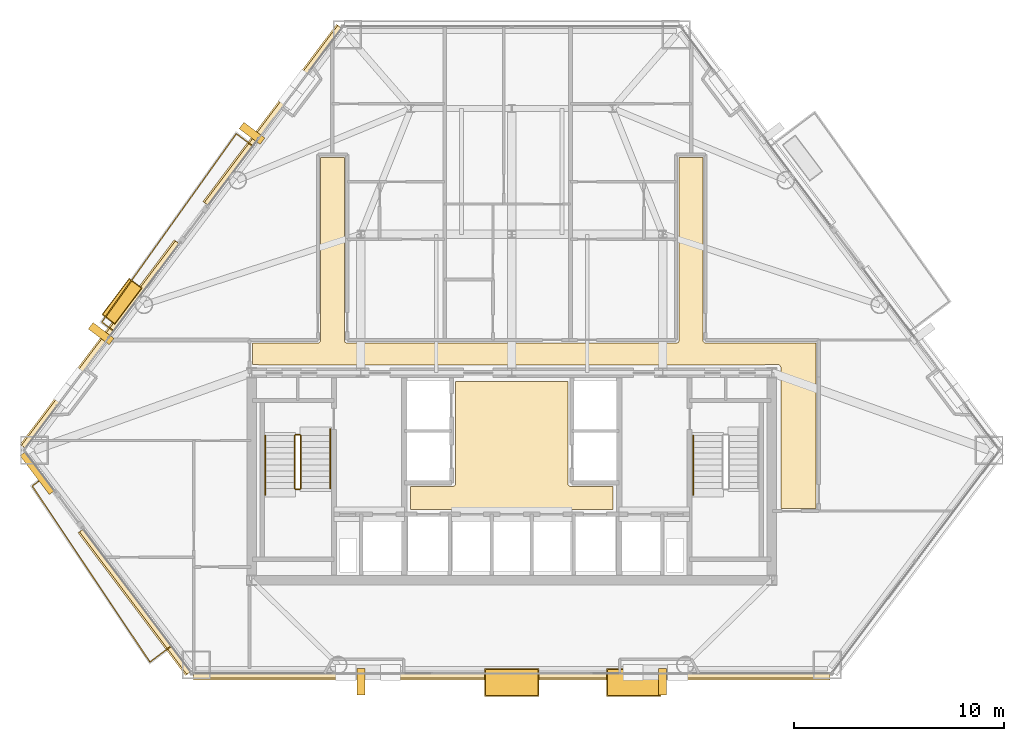
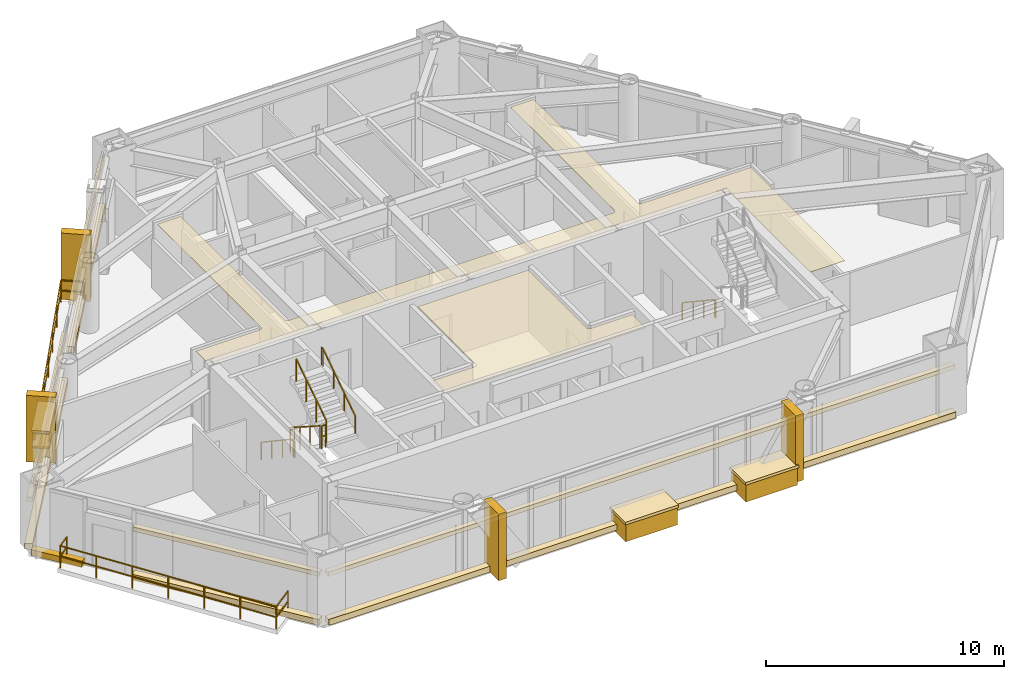
# One storey, part 10 of 11: 21 coverings, 9 railings.
"""IFC4 building model written with IfcOpenShell, lengths in metres."""

from ifc_helpers import new_model, si_unit, direction, frame, origin, origin_2d, place, context, subcontext, project, spatial, polyline, rectangle, outline, extrude, material, layer, layer_set, type_object, element, save


model = new_model("IFC4")

# Units and contexts
model_context = context("Model", 3, precision=1e-05, world=origin(), true_north=direction((0.0, 1.0)))
body_context = subcontext(model_context, "Body", "Model", "MODEL_VIEW")
ifc_project = project(units=[si_unit("LENGTHUNIT", "METRE"), si_unit("AREAUNIT", "SQUARE_METRE"), si_unit("VOLUMEUNIT", "CUBIC_METRE"), si_unit("PLANEANGLEUNIT", "RADIAN"), si_unit("MASSUNIT", "GRAM", prefix="KILO")], contexts=[model_context])

# Site, building, storey
site_placement = place(None, origin())
site = spatial("IfcSite", under=ifc_project, at=site_placement, CompositionType="ELEMENT")
building_placement = place(site_placement, origin())
building = spatial("IfcBuilding", under=site, at=building_placement, Name="Talgorran Terracotta Tower", CompositionType="ELEMENT")
storey_placement = place(building_placement, frame((0.0, 0.0, 45.89990234375)))
storey = spatial("IfcBuildingStorey", under=building, at=storey_placement, Name="L11", CompositionType="ELEMENT", Elevation=45.89990234375)

# Coverings
ifc_material_1 = material(Name="Kiln-Fired Terracotta Ochre Ceramic", Category="masonry")
ifc_layer_1 = layer(ifc_material_1, 0.179931640625, Name="COV_BAGUETTE_TERRACOTTA_SCREEN")
ifc_layer_set_1 = layer_set([ifc_layer_1], Name="Kiln-Fired Terracotta Ochre Ceramic")
covering_type_1 = type_object("IfcCoveringType", Name="COV_BAGUETTE_TERRACOTTA_SCREEN", PredefinedType="CLADDING", material=ifc_layer_set_1)
covering_1_placement = place(storey_placement, frame((-17.9482421875, -15.110595703125, 2.41015625), z_axis=(0.0, 0.0, 1.0), x_axis=(0.601633803014, -0.798772036986, 0.0)))
element("IfcCovering", 1, at=covering_1_placement, inside=storey, type_object=covering_type_1, Name="L11 Terracotta Baguette Solar Screen Assembly F11", PredefinedType="CLADDING", context=body_context, shape_type="SweptSolid", body=[
    extrude(rectangle(XDim=8.506103515625, YDim=0.260009765625, at=origin_2d()), origin(), (0.0, 0.0, 1.0), 0.219970703125),
])
covering_2_placement = place(storey_placement, frame((0.0, -18.635498046875, 2.41015625), z_axis=(0.0, 0.0, 1.0), x_axis=(1.0, 0.0, 0.0)))
element("IfcCovering", 2, at=covering_2_placement, inside=storey, type_object=covering_type_1, Name="L11 Terracotta Baguette Solar Screen Assembly F1", PredefinedType="CLADDING", context=body_context, shape_type="SweptSolid", body=[
    extrude(rectangle(XDim=30.3466796875, YDim=0.260009765625, at=origin_2d()), origin(), (0.0, 0.0, 1.0), 0.219970703125),
])
covering_3_placement = place(storey_placement, frame((-11.37158203125, 8.057861328125, 2.41015625), z_axis=(0.0, 0.0, 1.0), x_axis=(-0.601633803014, -0.798772036986, 0.0)))
element("IfcCovering", 3, at=covering_3_placement, inside=storey, type_object=covering_type_1, Name="L11 Terracotta Baguette Solar Screen Assembly F60", PredefinedType="CLADDING", context=body_context, shape_type="SweptSolid", body=[
    extrude(rectangle(XDim=10.566650390625, YDim=0.260009765625, at=origin_2d()), origin(), (0.0, 0.0, 1.0), 0.219970703125),
])
covering_4_placement = place(storey_placement, frame((-19.603759765625, -2.8720703125, 2.41015625), z_axis=(0.0, 0.0, 1.0), x_axis=(-0.601633803014, -0.798772036986, 0.0)))
element("IfcCovering", 4, at=covering_4_placement, inside=storey, type_object=covering_type_1, Name="L11 Terracotta Baguette Solar Screen Assembly F61", PredefinedType="CLADDING", context=body_context, shape_type="SweptSolid", body=[
    extrude(rectangle(XDim=12.199462890625, YDim=0.260009765625, at=origin_2d()), origin(), (0.0, 0.0, 1.0), 0.219970703125),
])
ifc_material_2 = material(Name="Mineral Fibre Acoustic Tile")
ifc_layer_2 = layer(ifc_material_2, 0.02490234375, Name="COV_CEIL_ACOUSTIC")
ifc_layer_set_2 = layer_set([ifc_layer_2], Name="Mineral Fibre Acoustic Tile")
covering_type_2 = type_object("IfcCoveringType", Name="COV_CEIL_ACOUSTIC", PredefinedType="CEILING", material=ifc_layer_set_2)
covering_5_placement = place(storey_placement, frame((0.0, 0.0, 3.260009765625)))
element("IfcCovering", 5, at=covering_5_placement, inside=storey, type_object=covering_type_2, Name="CEIL-L11-2", PredefinedType="CEILING", context=body_context, shape_type="SweptSolid", body=[
    extrude(outline(polyline([(-12.034423828125, -3.844970703125), (-12.03515625, -3.843994140625), (-12.0439453125, -3.836181640625), (-12.05322265625, -3.8291015625), (-12.0634765625, -3.8232421875), (-12.07421875, -3.818115234375), (-12.085205078125, -3.814208984375), (-12.0966796875, -3.811279296875), (-12.108154296875, -3.8095703125), (-12.1201171875, -3.80908203125), (-12.364990234375, -3.80908203125), (-12.364990234375, -2.784912109375), (-9.25, -2.784912109375), (-9.23828125, -2.784423828125), (-9.226806640625, -2.78271484375), (-9.21533203125, -2.77978515625), (-9.20703125, -2.77734375), (-9.196044921875, -2.7734375), (-9.185302734375, -2.768310546875), (-9.17529296875, -2.762451171875), (-9.165771484375, -2.75537109375), (-9.156982421875, -2.74755859375), (-9.149169921875, -2.73876953125), (-9.1435546875, -2.73193359375), (-9.136474609375, -2.722412109375), (-9.13037109375, -2.71240234375), (-9.125244140625, -2.70166015625), (-9.121337890625, -2.690673828125), (-9.118408203125, -2.67919921875), (-9.11669921875, -2.66748046875), (-9.1162109375, -2.65576171875), (-9.114990234375, 6.06494140625), (-7.985107421875, 6.06494140625), (-7.985107421875, -2.64990234375), (-7.984375, -2.66162109375), (-7.982666015625, -2.67333984375), (-7.97998046875, -2.6845703125), (-7.977294921875, -2.69287109375), (-7.973388671875, -2.7041015625), (-7.968505859375, -2.714599609375), (-7.96240234375, -2.724853515625), (-7.955322265625, -2.734375), (-7.947509765625, -2.742919921875), (-7.938720703125, -2.7509765625), (-7.931884765625, -2.756591796875), (-7.922607421875, -2.763671875), (-7.912353515625, -2.769775390625), (-7.901611328125, -2.774658203125), (-7.890625, -2.77880859375), (-7.879150390625, -2.781494140625), (-7.867431640625, -2.783203125), (-7.855712890625, -2.783935546875), (7.85009765625, -2.784912109375), (7.86181640625, -2.784423828125), (7.873291015625, -2.78271484375), (7.884521484375, -2.77978515625), (7.892822265625, -2.77734375), (7.904052734375, -2.7734375), (7.914794921875, -2.768310546875), (7.9248046875, -2.762451171875), (7.934326171875, -2.75537109375), (7.943115234375, -2.74755859375), (7.950927734375, -2.73876953125), (7.95654296875, -2.73193359375), (7.963623046875, -2.722412109375), (7.9697265625, -2.71240234375), (7.974609375, -2.70166015625), (7.978759765625, -2.690673828125), (7.981689453125, -2.67919921875), (7.9833984375, -2.66748046875), (7.98388671875, -2.65576171875), (7.985107421875, 6.06494140625), (9.114990234375, 6.06494140625), (9.114990234375, -2.64990234375), (9.115478515625, -2.66162109375), (9.1171875, -2.67333984375), (9.1201171875, -2.6845703125), (9.12255859375, -2.69287109375), (9.12646484375, -2.7041015625), (9.131591796875, -2.714599609375), (9.1376953125, -2.724853515625), (9.14453125, -2.734375), (9.152587890625, -2.742919921875), (9.1611328125, -2.7509765625), (9.16796875, -2.756591796875), (9.177490234375, -2.763671875), (9.1875, -2.769775390625), (9.1982421875, -2.774658203125), (9.20947265625, -2.77880859375), (9.220703125, -2.781494140625), (9.232421875, -2.783203125), (9.244384765625, -2.783935546875), (14.514892578125, -2.784912109375), (14.514892578125, -10.6650390625), (12.8349609375, -10.6650390625), (12.834716796875, -3.97705078125), (12.833984375, -3.96533203125), (12.83251953125, -3.953857421875), (12.82958984375, -3.9423828125), (12.82568359375, -3.931396484375), (12.820556640625, -3.920654296875), (12.81640625, -3.9130859375), (12.810302734375, -3.90283203125), (12.803466796875, -3.893310546875), (12.79541015625, -3.884521484375), (12.78857421875, -3.87841796875), (12.785888671875, -3.872314453125), (12.77978515625, -3.8623046875), (12.772705078125, -3.852783203125), (12.764892578125, -3.843994140625), (12.756103515625, -3.836181640625), (12.74658203125, -3.8291015625), (12.736572265625, -3.8232421875), (12.725830078125, -3.818115234375), (12.71484375, -3.814208984375), (12.703369140625, -3.811279296875), (12.69189453125, -3.8095703125), (12.679931640625, -3.80908203125), (12.1201171875, -3.80908203125), (12.108154296875, -3.8095703125), (12.0966796875, -3.811279296875), (12.085205078125, -3.814208984375), (12.07421875, -3.818115234375), (12.0634765625, -3.8232421875), (12.05322265625, -3.8291015625), (12.0439453125, -3.836181640625), (12.03515625, -3.843994140625), (12.034423828125, -3.844970703125), (7.432861328125, -3.844970703125), (6.968017578125, -3.843017578125), (6.967529296875, -3.843017578125), (0.232666015625, -3.844970703125), (-0.23193359375, -3.843017578125), (-0.232421875, -3.843017578125), (-6.96728515625, -3.844970703125), (-7.431884765625, -3.843017578125), (-7.4326171875, -3.843017578125), (-12.034423828125, -3.844970703125)])), origin(), (0.0, 0.0, 1.0), 0.02001953125),
])
ifc_material_3 = material(Name="Flush Moisture-Resistant Plaster")
ifc_layer_3 = layer(ifc_material_3, 0.01806640625, Name="COV_CEIL_PLASTER")
ifc_layer_set_3 = layer_set([ifc_layer_3], Name="Flush Moisture-Resistant Plaster")
covering_type_3 = type_object("IfcCoveringType", Name="COV_CEIL_PLASTER", PredefinedType="CEILING", material=ifc_layer_set_3)
covering_6_placement = place(storey_placement, frame((0.0, 0.0, 3.260009765625)))
element("IfcCovering", 6, at=covering_6_placement, inside=storey, type_object=covering_type_3, Name="CEIL-L11-1", PredefinedType="CEILING", context=body_context, shape_type="SweptSolid", body=[
    extrude(outline(polyline([(-4.830078125, -9.6201171875), (-2.800048828125, -9.6201171875), (-2.7880859375, -9.619384765625), (-2.776611328125, -9.61767578125), (-2.76513671875, -9.61474609375), (-2.754150390625, -9.61083984375), (-2.743408203125, -9.605712890625), (-2.7333984375, -9.599853515625), (-2.723876953125, -9.5927734375), (-2.715087890625, -9.5849609375), (-2.707275390625, -9.576171875), (-2.7001953125, -9.566650390625), (-2.694091796875, -9.556640625), (-2.689208984375, -9.5458984375), (-2.685302734375, -9.534912109375), (-2.682373046875, -9.5234375), (-2.6806640625, -9.51171875), (-2.679931640625, -9.5), (-2.679931640625, -4.6201171875), (2.679931640625, -4.6201171875), (2.679931640625, -9.5), (2.6806640625, -9.51171875), (2.682373046875, -9.5234375), (2.685302734375, -9.534912109375), (2.689208984375, -9.5458984375), (2.694091796875, -9.556640625), (2.7001953125, -9.566650390625), (2.707275390625, -9.576171875), (2.715087890625, -9.5849609375), (2.723876953125, -9.5927734375), (2.7333984375, -9.599853515625), (2.743408203125, -9.605712890625), (2.754150390625, -9.61083984375), (2.76513671875, -9.61474609375), (2.776611328125, -9.61767578125), (2.7880859375, -9.619384765625), (2.800048828125, -9.6201171875), (4.830078125, -9.6201171875), (4.830078125, -10.72998046875), (-4.830078125, -10.72998046875), (-4.830078125, -9.6201171875)])), origin(), (0.0, 0.0, 1.0), 0.02001953125),
])
ifc_material_4 = material(Name="Honed Limestone and Terracotta Planter", Category="masonry")
ifc_layer_4 = layer(ifc_material_4, 0.1201171875, Name="COV_PLANTER_BOX")
ifc_layer_set_4 = layer_set([ifc_layer_4], Name="Honed Limestone and Terracotta Planter")
covering_type_4 = type_object("IfcCoveringType", Name="COV_PLANTER_BOX", PredefinedType="CLADDING", material=ifc_layer_set_4)
for number, where, z_axis, x_axis, name in (
    (7, (0.0, -18.9755859375, -0.179931640625), (0.0, 0.0, 1.0), (1.0, 0.0, 0.0), "L11 Staggered South Facade Planter Box 1"),
    (8, (5.815185546875, -18.9755859375, -0.179931640625), (0.0, 0.0, 1.0), (1.0, 0.0, 0.0), "L11 Staggered South Facade Planter Box 2"),
):
    element("IfcCovering", number, at=place(storey_placement, frame(where, z_axis=z_axis, x_axis=x_axis)), inside=storey, type_object=covering_type_4, Name=name, PredefinedType="CLADDING", context=body_context, shape_type="SweptSolid", body=[
        extrude(rectangle(XDim=2.5, YDim=1.25, at=origin_2d()), origin(), (0.0, 0.0, 1.0), 0.919921875),
    ])
covering_7_placement = place(storey_placement, frame((-18.584228515625, -0.79541015625, -0.02001953125), z_axis=(0.0, 0.0, 1.0), x_axis=(-0.601633803014, -0.798772036986, 0.0)))
element("IfcCovering", 9, at=covering_7_placement, inside=storey, type_object=covering_type_4, Name="L11 Staggered Balcony Planter Box BAL-NW", PredefinedType="CLADDING", context=body_context, shape_type="SweptSolid", body=[
    extrude(rectangle(XDim=2.10009765625, YDim=0.719970703125, at=origin_2d()), origin(), (0.0, 0.0, 1.0), 0.860107421875),
])
ifc_material_5 = material(Name="Kiln-Fired Terracotta Planter Rim", Category="masonry")
ifc_layer_5 = layer(ifc_material_5, 0.10009765625, Name="COV_PLANTER_RIM")
ifc_layer_set_5 = layer_set([ifc_layer_5], Name="Kiln-Fired Terracotta Planter Rim")
covering_type_5 = type_object("IfcCoveringType", Name="COV_PLANTER_RIM", PredefinedType="CLADDING", material=ifc_layer_set_5)
for number, where, z_axis, x_axis, name in (
    (10, (0.0, -18.9755859375, 0.7099609375), (0.0, 0.0, 1.0), (1.0, 0.0, 0.0), "L11 South Planter Terracotta Rim 1"),
    (11, (5.815185546875, -18.9755859375, 0.7099609375), (0.0, 0.0, 1.0), (1.0, 0.0, 0.0), "L11 South Planter Terracotta Rim 2"),
):
    element("IfcCovering", number, at=place(storey_placement, frame(where, z_axis=z_axis, x_axis=x_axis)), inside=storey, type_object=covering_type_5, Name=name, PredefinedType="CLADDING", context=body_context, shape_type="SweptSolid", body=[
        extrude(rectangle(XDim=2.580078125, YDim=1.320068359375, at=origin_2d()), origin(), (0.0, 0.0, 1.0), 0.139892578125),
    ])
covering_8_placement = place(storey_placement, frame((-18.584228515625, -0.79541015625, 0.800048828125), z_axis=(0.0, 0.0, 1.0), x_axis=(-0.601633803014, -0.798772036986, 0.0)))
element("IfcCovering", 12, at=covering_8_placement, inside=storey, type_object=covering_type_5, Name="L11 Balcony Planter Terracotta Rim BAL-NW", PredefinedType="CLADDING", context=body_context, shape_type="SweptSolid", body=[
    extrude(rectangle(XDim=2.179931640625, YDim=0.780029296875, at=origin_2d()), origin(), (0.0, 0.0, 1.0), 0.1201171875),
])
ifc_material_6 = material(Name="Honed Limestone Cladding", Category="masonry")
ifc_layer_6 = layer(ifc_material_6, 0.094970703125, Name="COV_PORTAL_LIME")
ifc_layer_set_6 = layer_set([ifc_layer_6], Name="Honed Limestone Cladding")
covering_type_6 = type_object("IfcCoveringType", Name="COV_PORTAL_LIME", PredefinedType="CLADDING", material=ifc_layer_set_6)
for number, where, z_axis, x_axis, name in (
    (13, (-7.1923828125, -18.935546875, -0.0498046875), (0.0, 0.0, 1.0), (1.0, 0.0, 0.0), "L11 White Striped Portal Fin F1-1"),
    (14, (-12.3857421875, 7.2099609375, -0.0498046875), (0.0, 0.0, 1.0), (-0.601633803014, -0.798772036986, 0.0), "L11 White Striped Portal Fin F5-1"),
):
    element("IfcCovering", number, at=place(storey_placement, frame(where, z_axis=z_axis, x_axis=x_axis)), inside=storey, type_object=covering_type_6, Name=name, PredefinedType="CLADDING", context=body_context, shape_type="SweptSolid", body=[
        extrude(rectangle(XDim=0.3798828125, YDim=1.25, at=origin_2d()), origin(), (0.0, 0.0, 1.0), 3.39990234375),
    ])
ifc_material_7 = material(Name="Kiln-Fired Terracotta Cladding", Category="masonry")
ifc_layer_7 = layer(ifc_material_7, 0.090087890625, Name="COV_PORTAL_TERRA")
ifc_layer_set_7 = layer_set([ifc_layer_7], Name="Kiln-Fired Terracotta Cladding")
covering_type_7 = type_object("IfcCoveringType", Name="COV_PORTAL_TERRA", PredefinedType="CLADDING", material=ifc_layer_set_7)
covering_9_placement = place(storey_placement, frame((-22.614013671875, -8.982421875, -0.0400390625), z_axis=(0.0, 0.0, 1.0), x_axis=(0.601647744124, -0.798761536374, 0.0)))
element("IfcCovering", 15, at=covering_9_placement, inside=storey, type_object=covering_type_7, Name="L11 Striped Postmodern Portal Cladding Band F10", PredefinedType="CLADDING", context=body_context, shape_type="SweptSolid", body=[
    extrude(rectangle(XDim=2.318115234375, YDim=0.340087890625, at=origin_2d()), origin(), (0.0, 0.0, 1.0), 0.300048828125),
])
covering_10_placement = place(storey_placement, frame((-17.980224609375, -15.134765625, -0.0400390625), z_axis=(0.0, 0.0, 1.0), x_axis=(0.601633803014, -0.798772036986, 0.0)))
element("IfcCovering", 16, at=covering_10_placement, inside=storey, type_object=covering_type_7, Name="L11 Striped Postmodern Portal Cladding Band F11", PredefinedType="CLADDING", context=body_context, shape_type="SweptSolid", body=[
    extrude(rectangle(XDim=8.526123046875, YDim=0.340087890625, at=origin_2d()), origin(), (0.0, 0.0, 1.0), 0.300048828125),
])
covering_11_placement = place(storey_placement, frame((0.0, -18.675537109375, -0.0400390625), z_axis=(0.0, 0.0, 1.0), x_axis=(1.0, 0.0, 0.0)))
element("IfcCovering", 17, at=covering_11_placement, inside=storey, type_object=covering_type_7, Name="L11 Striped Postmodern Portal Cladding Band F1", PredefinedType="CLADDING", context=body_context, shape_type="SweptSolid", body=[
    extrude(rectangle(XDim=30.36669921875, YDim=0.340087890625, at=origin_2d()), origin(), (0.0, 0.0, 1.0), 0.300048828125),
])
covering_12_placement = place(storey_placement, frame((-11.403564453125, 8.081787109375, -0.0400390625), z_axis=(0.0, 0.0, 1.0), x_axis=(-0.601633803014, -0.798772036986, 0.0)))
element("IfcCovering", 18, at=covering_12_placement, inside=storey, type_object=covering_type_7, Name="L11 Striped Postmodern Portal Cladding Band F60", PredefinedType="CLADDING", context=body_context, shape_type="SweptSolid", body=[
    extrude(rectangle(XDim=10.586669921875, YDim=0.340087890625, at=origin_2d()), origin(), (0.0, 0.0, 1.0), 0.300048828125),
])
covering_13_placement = place(storey_placement, frame((-19.635498046875, -2.847900390625, -0.0400390625), z_axis=(0.0, 0.0, 1.0), x_axis=(-0.601633803014, -0.798772036986, 0.0)))
element("IfcCovering", 19, at=covering_13_placement, inside=storey, type_object=covering_type_7, Name="L11 Striped Postmodern Portal Cladding Band F61", PredefinedType="CLADDING", context=body_context, shape_type="SweptSolid", body=[
    extrude(rectangle(XDim=12.219482421875, YDim=0.340087890625, at=origin_2d()), origin(), (0.0, 0.0, 1.0), 0.300048828125),
])
for number, where, z_axis, x_axis, name in (
    (20, (7.1923828125, -18.935546875, -0.0498046875), (0.0, 0.0, 1.0), (1.0, 0.0, 0.0), "L11 Terracotta Striped Portal Fin F1-2"),
    (21, (-19.578369140625, -2.339599609375, -0.0498046875), (0.0, 0.0, 1.0), (-0.601633803014, -0.798772036986, 0.0), "L11 Terracotta Striped Portal Fin F5-2"),
):
    element("IfcCovering", number, at=place(storey_placement, frame(where, z_axis=z_axis, x_axis=x_axis)), inside=storey, type_object=covering_type_7, Name=name, PredefinedType="CLADDING", context=body_context, shape_type="SweptSolid", body=[
        extrude(rectangle(XDim=0.3798828125, YDim=1.25, at=origin_2d()), origin(), (0.0, 0.0, 1.0), 3.39990234375),
    ])

# Railings
ifc_material_8 = material(Name="Laminated Glass and Stainless Steel 316", Category="steel")
railing_type_1 = type_object("IfcRailingType", Name="RL_BALCONY_1150", PredefinedType="BALUSTRADE", material=ifc_material_8)
railing_1_placement = place(storey_placement, frame((-12.35986328125, 6.612548828125, 0.0)))
element("IfcRailing", 22, at=railing_1_placement, inside=storey, type_object=railing_type_1, Name="RL-L11-BAL-BAL-NW", PredefinedType="BALUSTRADE", context=body_context, shape_type="SweptSolid", body=[
    extrude(rectangle(XDim=0.048095703125, YDim=0.048095703125, at=origin_2d()), frame((0.0, 0.0, 1.1259765625), z_axis=(-0.798726699354, 0.601693991775, 0.0), x_axis=(-0.601693991775, -0.798726699354, 0.0)), (0.0, 0.0, 1.0), 0.9677734375),
    extrude(rectangle(XDim=0.048095703125, YDim=0.048095703125, at=origin_2d()), frame((0.0, 0.0, 0.597900390625), z_axis=(-0.798726699354, 0.601693991775, 0.0), x_axis=(-0.601693991775, -0.798726699354, 0.0)), (0.0, 0.0, 1.0), 0.9677734375),
    extrude(rectangle(XDim=0.048095703125, YDim=0.048095703125, at=origin_2d()), frame((-0.77294921875, 0.582275390625, 1.1259765625), z_axis=(-0.580959834341, -0.81393222745, 0.0), x_axis=(0.81393222745, -0.580959834341, 0.0)), (0.0, 0.0, 1.0), 11.035888671875),
    extrude(rectangle(XDim=0.048095703125, YDim=0.048095703125, at=origin_2d()), frame((-0.77294921875, 0.582275390625, 0.597900390625), z_axis=(-0.580959834341, -0.81393222745, 0.0), x_axis=(0.81393222745, -0.580959834341, 0.0)), (0.0, 0.0, 1.0), 11.035888671875),
    extrude(rectangle(XDim=0.048095703125, YDim=0.048095703125, at=origin_2d()), frame((-7.184326171875, -8.400146484375, 1.1259765625), z_axis=(0.798757916784, -0.601652549546, 0.0), x_axis=(0.601652549546, 0.798757916784, 0.0)), (0.0, 0.0, 1.0), 0.68505859375),
    extrude(rectangle(XDim=0.048095703125, YDim=0.048095703125, at=origin_2d()), frame((-7.184326171875, -8.400146484375, 0.597900390625), z_axis=(0.798757916784, -0.601652549546, 0.0), x_axis=(0.601652549546, 0.798757916784, 0.0)), (0.0, 0.0, 1.0), 0.68505859375),
    extrude(rectangle(XDim=0.0419921875, YDim=0.0419921875, at=origin_2d()), origin(), (0.0, 0.0, 1.0), 1.101806640625),
    extrude(rectangle(XDim=0.0419921875, YDim=0.0419921875, at=origin_2d()), frame((-0.77294921875, 0.582275390625, 0.0)), (0.0, 0.0, 1.0), 1.101806640625),
    extrude(rectangle(XDim=0.0419921875, YDim=0.0419921875, at=origin_2d()), frame((-1.841552734375, -0.914794921875, 0.0)), (0.0, 0.0, 1.0), 1.101806640625),
    extrude(rectangle(XDim=0.0419921875, YDim=0.0419921875, at=origin_2d()), frame((-2.91015625, -2.411865234375, 0.0)), (0.0, 0.0, 1.0), 1.101806640625),
    extrude(rectangle(XDim=0.0419921875, YDim=0.0419921875, at=origin_2d()), frame((-3.978515625, -3.908935546875, 0.0)), (0.0, 0.0, 1.0), 1.101806640625),
    extrude(rectangle(XDim=0.0419921875, YDim=0.0419921875, at=origin_2d()), frame((-5.047119140625, -5.406005859375, 0.0)), (0.0, 0.0, 1.0), 1.101806640625),
    extrude(rectangle(XDim=0.0419921875, YDim=0.0419921875, at=origin_2d()), frame((-6.11572265625, -6.903076171875, 0.0)), (0.0, 0.0, 1.0), 1.101806640625),
    extrude(rectangle(XDim=0.0419921875, YDim=0.0419921875, at=origin_2d()), frame((-7.184326171875, -8.400146484375, 0.0)), (0.0, 0.0, 1.0), 1.101806640625),
    extrude(rectangle(XDim=0.0419921875, YDim=0.0419921875, at=origin_2d()), frame((-6.63720703125, -8.812255859375, 0.0)), (0.0, 0.0, 1.0), 1.101806640625),
])
railing_2_placement = place(storey_placement, frame((-22.30908203125, -9.187744140625, 0.0)))
element("IfcRailing", 23, at=railing_2_placement, inside=storey, type_object=railing_type_1, Name="RL-L11-BAL-BAL-SW", PredefinedType="BALUSTRADE", context=body_context, shape_type="SweptSolid", body=[
    extrude(rectangle(XDim=0.048095703125, YDim=0.048095703125, at=origin_2d()), frame((0.0, 0.0, 1.1259765625), z_axis=(-0.798821249931, -0.60156845883, 0.0), x_axis=(0.60156845883, -0.798821249931, 0.0)), (0.0, 0.0, 1.0), 0.69677734375),
    extrude(rectangle(XDim=0.048095703125, YDim=0.048095703125, at=origin_2d()), frame((0.0, 0.0, 0.597900390625), z_axis=(-0.798821249931, -0.60156845883, 0.0), x_axis=(0.60156845883, -0.798821249931, 0.0)), (0.0, 0.0, 1.0), 0.69677734375),
    extrude(rectangle(XDim=0.048095703125, YDim=0.048095703125, at=origin_2d()), frame((-0.556640625, -0.419189453125, 1.1259765625), z_axis=(0.555960671091, -0.831208597284, 0.0), x_axis=(0.831208597284, 0.555960671091, 0.0)), (0.0, 0.0, 1.0), 10.096435546875),
    extrude(rectangle(XDim=0.048095703125, YDim=0.048095703125, at=origin_2d()), frame((-0.556640625, -0.419189453125, 0.597900390625), z_axis=(0.555960671091, -0.831208597284, 0.0), x_axis=(0.831208597284, 0.555960671091, 0.0)), (0.0, 0.0, 1.0), 10.096435546875),
    extrude(rectangle(XDim=0.048095703125, YDim=0.048095703125, at=origin_2d()), frame((5.056640625, -8.8115234375, 1.1259765625), z_axis=(0.798767956129, 0.601639221013, 0.0), x_axis=(-0.601639221013, 0.798767956129, 0.0)), (0.0, 0.0, 1.0), 1.261962890625),
    extrude(rectangle(XDim=0.048095703125, YDim=0.048095703125, at=origin_2d()), frame((5.056640625, -8.8115234375, 0.597900390625), z_axis=(0.798767956129, 0.601639221013, 0.0), x_axis=(-0.601639221013, 0.798767956129, 0.0)), (0.0, 0.0, 1.0), 1.261962890625),
    extrude(rectangle(XDim=0.0419921875, YDim=0.0419921875, at=origin_2d()), origin(), (0.0, 0.0, 1.0), 1.101806640625),
    extrude(rectangle(XDim=0.0419921875, YDim=0.0419921875, at=origin_2d()), frame((-0.556640625, -0.419189453125, 0.0)), (0.0, 0.0, 1.0), 1.101806640625),
    extrude(rectangle(XDim=0.0419921875, YDim=0.0419921875, at=origin_2d()), frame((0.37890625, -1.81787109375, 0.0)), (0.0, 0.0, 1.0), 1.101806640625),
    extrude(rectangle(XDim=0.0419921875, YDim=0.0419921875, at=origin_2d()), frame((1.314453125, -3.216552734375, 0.0)), (0.0, 0.0, 1.0), 1.101806640625),
    extrude(rectangle(XDim=0.0419921875, YDim=0.0419921875, at=origin_2d()), frame((2.25, -4.615234375, 0.0)), (0.0, 0.0, 1.0), 1.101806640625),
    extrude(rectangle(XDim=0.0419921875, YDim=0.0419921875, at=origin_2d()), frame((3.185546875, -6.01416015625, 0.0)), (0.0, 0.0, 1.0), 1.101806640625),
    extrude(rectangle(XDim=0.0419921875, YDim=0.0419921875, at=origin_2d()), frame((4.12109375, -7.412841796875, 0.0)), (0.0, 0.0, 1.0), 1.101806640625),
    extrude(rectangle(XDim=0.0419921875, YDim=0.0419921875, at=origin_2d()), frame((5.056640625, -8.8115234375, 0.0)), (0.0, 0.0, 1.0), 1.101806640625),
    extrude(rectangle(XDim=0.0419921875, YDim=0.0419921875, at=origin_2d()), frame((6.064697265625, -8.05224609375, 0.0)), (0.0, 0.0, 1.0), 1.101806640625),
])
ifc_material_9 = material(Name="Steel S355 (300PLUS)", Category="steel")
railing_type_2 = type_object("IfcRailingType", Name="RL_HANDRAIL_920", PredefinedType="HANDRAIL", material=ifc_material_9)
railing_3_placement = place(storey_placement, frame((-11.75, -7.199951171875, 0.18017578125)))
element("IfcRailing", 24, at=railing_3_placement, inside=storey, type_object=railing_type_2, Name="L11 ST-01 stair handrail 1", PredefinedType="HANDRAIL", context=body_context, shape_type="SweptSolid", body=[
    extrude(rectangle(XDim=0.048095703125, YDim=0.048095703125, at=origin_2d()), frame((0.0, 0.0, 0.89599609375), z_axis=(0.0, -0.832073444223, 0.554665469827), x_axis=(1.0, 0.0, 0.0)), (0.0, 0.0, 1.0), 3.244873046875),
    extrude(rectangle(XDim=0.048095703125, YDim=0.048095703125, at=origin_2d()), frame((0.0, -2.699951171875, 2.69580078125), z_axis=(0.0, -1.0, 0.0), x_axis=(1.0, 0.0, 0.0)), (0.0, 0.0, 1.0), 0.1201171875),
    extrude(rectangle(XDim=0.0419921875, YDim=0.0419921875, at=origin_2d()), origin(), (0.0, 0.0, 1.0), 0.871826171875),
    extrude(rectangle(XDim=0.0419921875, YDim=0.0419921875, at=origin_2d()), frame((0.0, -0.89990234375, 0.599853515625)), (0.0, 0.0, 1.0), 0.871826171875),
    extrude(rectangle(XDim=0.0419921875, YDim=0.0419921875, at=origin_2d()), frame((0.0, -1.800048828125, 1.199951171875)), (0.0, 0.0, 1.0), 0.871826171875),
    extrude(rectangle(XDim=0.0419921875, YDim=0.0419921875, at=origin_2d()), frame((0.0, -2.699951171875, 1.7998046875)), (0.0, 0.0, 1.0), 0.871826171875),
    extrude(rectangle(XDim=0.0419921875, YDim=0.0419921875, at=origin_2d()), frame((0.0, -2.820068359375, 1.7998046875)), (0.0, 0.0, 1.0), 0.871826171875),
])
railing_4_placement = place(storey_placement, frame((-8.64990234375, -9.719970703125, 1.97998046875)))
element("IfcRailing", 25, at=railing_4_placement, inside=storey, type_object=railing_type_2, Name="L11 ST-01 stair handrail 2", PredefinedType="HANDRAIL", context=body_context, shape_type="SweptSolid", body=[
    extrude(rectangle(XDim=0.048095703125, YDim=0.048095703125, at=origin_2d()), frame((0.0, 0.0, 0.89599609375), z_axis=(0.0, 0.832038719335, 0.554717558338), x_axis=(-1.0, 0.0, 0.0)), (0.0, 0.0, 1.0), 3.244873046875),
    extrude(rectangle(XDim=0.048095703125, YDim=0.048095703125, at=origin_2d()), frame((0.0, 2.699951171875, 2.69580078125), z_axis=(0.0, 1.0, 0.0), x_axis=(-1.0, 0.0, 0.0)), (0.0, 0.0, 1.0), 0.1201171875),
    extrude(rectangle(XDim=0.0419921875, YDim=0.0419921875, at=origin_2d()), origin(), (0.0, 0.0, 1.0), 0.871826171875),
    extrude(rectangle(XDim=0.0419921875, YDim=0.0419921875, at=origin_2d()), frame((0.0, 0.89990234375, 0.60009765625)), (0.0, 0.0, 1.0), 0.871826171875),
    extrude(rectangle(XDim=0.0419921875, YDim=0.0419921875, at=origin_2d()), frame((0.0, 1.800048828125, 1.199951171875)), (0.0, 0.0, 1.0), 0.871826171875),
    extrude(rectangle(XDim=0.0419921875, YDim=0.0419921875, at=origin_2d()), frame((0.0, 2.699951171875, 1.800048828125)), (0.0, 0.0, 1.0), 0.871826171875),
    extrude(rectangle(XDim=0.0419921875, YDim=0.0419921875, at=origin_2d()), frame((0.0, 2.820068359375, 1.800048828125)), (0.0, 0.0, 1.0), 0.871826171875),
])
railing_5_placement = place(storey_placement, frame((8.64990234375, -7.199951171875, 0.18017578125)))
element("IfcRailing", 26, at=railing_5_placement, inside=storey, type_object=railing_type_2, Name="L11 ST-02 stair handrail 1", PredefinedType="HANDRAIL", context=body_context, shape_type="SweptSolid", body=[
    extrude(rectangle(XDim=0.048095703125, YDim=0.048095703125, at=origin_2d()), frame((0.0, 0.0, 0.89599609375), z_axis=(0.0, -0.832073444223, 0.554665469827), x_axis=(1.0, 0.0, 0.0)), (0.0, 0.0, 1.0), 3.244873046875),
    extrude(rectangle(XDim=0.048095703125, YDim=0.048095703125, at=origin_2d()), frame((0.0, -2.699951171875, 2.69580078125), z_axis=(0.0, -1.0, 0.0), x_axis=(1.0, 0.0, 0.0)), (0.0, 0.0, 1.0), 0.1201171875),
    extrude(rectangle(XDim=0.0419921875, YDim=0.0419921875, at=origin_2d()), origin(), (0.0, 0.0, 1.0), 0.871826171875),
    extrude(rectangle(XDim=0.0419921875, YDim=0.0419921875, at=origin_2d()), frame((0.0, -0.89990234375, 0.599853515625)), (0.0, 0.0, 1.0), 0.871826171875),
    extrude(rectangle(XDim=0.0419921875, YDim=0.0419921875, at=origin_2d()), frame((0.0, -1.800048828125, 1.199951171875)), (0.0, 0.0, 1.0), 0.871826171875),
    extrude(rectangle(XDim=0.0419921875, YDim=0.0419921875, at=origin_2d()), frame((0.0, -2.699951171875, 1.7998046875)), (0.0, 0.0, 1.0), 0.871826171875),
    extrude(rectangle(XDim=0.0419921875, YDim=0.0419921875, at=origin_2d()), frame((0.0, -2.820068359375, 1.7998046875)), (0.0, 0.0, 1.0), 0.871826171875),
])
railing_type_3 = type_object("IfcRailingType", Name="RL_STAIR_GUARD", PredefinedType="GUARDRAIL", material=ifc_material_9)
railing_6_placement = place(storey_placement, frame((-10.35009765625, -7.199951171875, 0.18017578125)))
element("IfcRailing", 27, at=railing_6_placement, inside=storey, type_object=railing_type_3, Name="L11 ST-01 stair guard 1", PredefinedType="GUARDRAIL", context=body_context, shape_type="SweptSolid", body=[
    extrude(rectangle(XDim=0.048095703125, YDim=0.048095703125, at=origin_2d()), frame((0.0, 0.0, 1.15576171875), z_axis=(0.0, -0.841199657755, 0.540724639528), x_axis=(1.0, 0.0, 0.0)), (0.0, 0.0, 1.0), 2.995849609375),
    extrude(rectangle(XDim=0.0419921875, YDim=0.0419921875, at=origin_2d()), origin(), (0.0, 0.0, 1.0), 1.1318359375),
    extrude(rectangle(XDim=0.0419921875, YDim=0.0419921875, at=origin_2d()), frame((0.0, -0.840087890625, 0.5400390625)), (0.0, 0.0, 1.0), 1.1318359375),
    extrude(rectangle(XDim=0.0419921875, YDim=0.0419921875, at=origin_2d()), frame((0.0, -1.679931640625, 1.079833984375)), (0.0, 0.0, 1.0), 1.1318359375),
    extrude(rectangle(XDim=0.0419921875, YDim=0.0419921875, at=origin_2d()), frame((0.0, -2.52001953125, 1.619873046875)), (0.0, 0.0, 1.0), 1.1318359375),
])
railing_7_placement = place(storey_placement, frame((-10.300048828125, -9.77001953125, 1.800048828125)))
element("IfcRailing", 28, at=railing_7_placement, inside=storey, type_object=railing_type_3, Name="L11 ST-01 stair guard 2", PredefinedType="GUARDRAIL", context=body_context, shape_type="SweptSolid", body=[
    extrude(rectangle(XDim=0.048095703125, YDim=0.048095703125, at=origin_2d()), frame((0.0, 0.0, 1.15576171875), z_axis=(1.0, 0.0, 0.0), x_axis=(0.0, 1.0, 0.0)), (0.0, 0.0, 1.0), 0.199951171875),
    extrude(rectangle(XDim=0.048095703125, YDim=0.048095703125, at=origin_2d()), frame((0.0, 0.0, 0.613525390625), z_axis=(1.0, 0.0, 0.0), x_axis=(0.0, 1.0, 0.0)), (0.0, 0.0, 1.0), 0.199951171875),
    extrude(rectangle(XDim=0.0419921875, YDim=0.0419921875, at=origin_2d()), origin(), (0.0, 0.0, 1.0), 1.1318359375),
    extrude(rectangle(XDim=0.0419921875, YDim=0.0419921875, at=origin_2d()), frame((0.199951171875, 0.0, 0.0)), (0.0, 0.0, 1.0), 1.1318359375),
])
railing_8_placement = place(storey_placement, frame((-10.050048828125, -9.719970703125, 1.97998046875)))
element("IfcRailing", 29, at=railing_8_placement, inside=storey, type_object=railing_type_3, Name="L11 ST-01 stair guard 3", PredefinedType="GUARDRAIL", context=body_context, shape_type="SweptSolid", body=[
    extrude(rectangle(XDim=0.048095703125, YDim=0.048095703125, at=origin_2d()), frame((0.0, 0.0, 1.15576171875), z_axis=(0.0, 0.841162588446, 0.540782303519), x_axis=(-1.0, 0.0, 0.0)), (0.0, 0.0, 1.0), 2.995849609375),
    extrude(rectangle(XDim=0.0419921875, YDim=0.0419921875, at=origin_2d()), origin(), (0.0, 0.0, 1.0), 1.1318359375),
    extrude(rectangle(XDim=0.0419921875, YDim=0.0419921875, at=origin_2d()), frame((0.0, 0.840087890625, 0.5400390625)), (0.0, 0.0, 1.0), 1.1318359375),
    extrude(rectangle(XDim=0.0419921875, YDim=0.0419921875, at=origin_2d()), frame((0.0, 1.679931640625, 1.080078125)), (0.0, 0.0, 1.0), 1.1318359375),
    extrude(rectangle(XDim=0.0419921875, YDim=0.0419921875, at=origin_2d()), frame((0.0, 2.52001953125, 1.6201171875)), (0.0, 0.0, 1.0), 1.1318359375),
])
railing_9_placement = place(storey_placement, frame((-10.300048828125, -7.14990234375, 0.0)))
element("IfcRailing", 30, at=railing_9_placement, inside=storey, type_object=railing_type_3, Name="L11 ST-01 stair guard 4", PredefinedType="GUARDRAIL", context=body_context, shape_type="SweptSolid", body=[
    extrude(rectangle(XDim=0.048095703125, YDim=0.048095703125, at=origin_2d()), frame((0.0, 0.0, 1.15576171875), z_axis=(1.0, 0.0, 0.0), x_axis=(0.0, 1.0, 0.0)), (0.0, 0.0, 1.0), 0.199951171875),
    extrude(rectangle(XDim=0.048095703125, YDim=0.048095703125, at=origin_2d()), frame((0.0, 0.0, 0.613525390625), z_axis=(1.0, 0.0, 0.0), x_axis=(0.0, 1.0, 0.0)), (0.0, 0.0, 1.0), 0.199951171875),
    extrude(rectangle(XDim=0.0419921875, YDim=0.0419921875, at=origin_2d()), origin(), (0.0, 0.0, 1.0), 1.1318359375),
    extrude(rectangle(XDim=0.0419921875, YDim=0.0419921875, at=origin_2d()), frame((0.199951171875, 0.0, 0.0)), (0.0, 0.0, 1.0), 1.1318359375),
])

save(model, "model.ifc")
